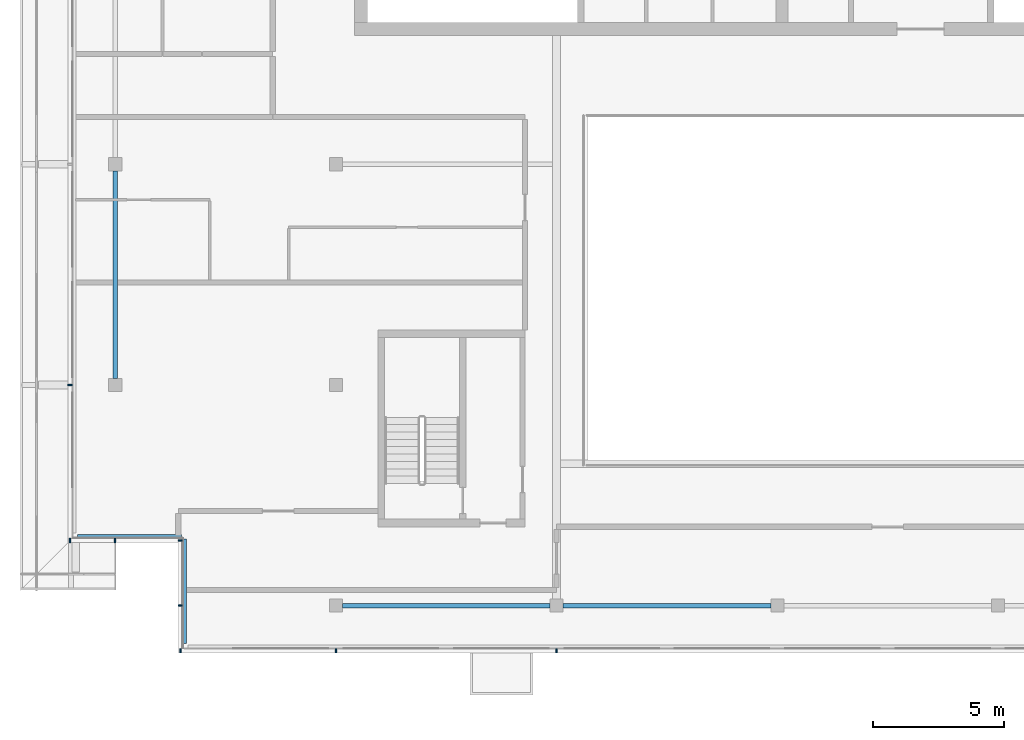
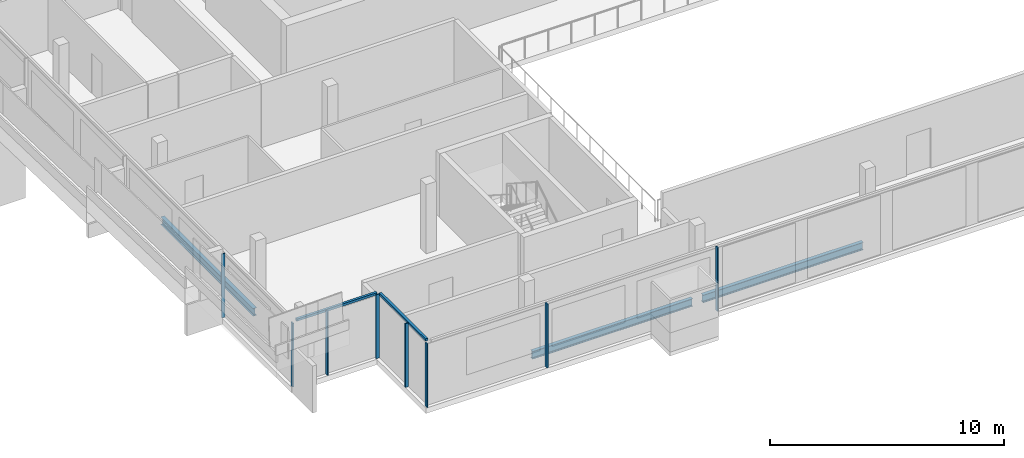
# One storey, part 2 of 19: 10 members, 3 beams, 4 elements without a shape of their own.
"""IFC4 building model written with IfcOpenShell, lengths in metres."""

from ifc_helpers import new_model, si_unit, direction, frame, origin, origin_2d, place, context, subcontext, project, spatial, rectangle, i_section, extrude, material, material_profile, profile_set, type_object, element, aggregate, save


model = new_model("IFC4")

# Units and contexts
model_context = context("Model", 3, precision=1e-05, world=origin(), true_north=direction((0.0, 1.0)))
body_context = subcontext(model_context, "Body", "Model", "MODEL_VIEW")
ifc_project = project(units=[si_unit("LENGTHUNIT", "METRE"), si_unit("AREAUNIT", "SQUARE_METRE"), si_unit("VOLUMEUNIT", "CUBIC_METRE"), si_unit("PLANEANGLEUNIT", "RADIAN"), si_unit("MASSUNIT", "GRAM", prefix="KILO")], contexts=[model_context])

# Site, building, storey
site_placement = place(None, origin())
site = spatial("IfcSite", under=ifc_project, at=site_placement, CompositionType="ELEMENT")
building_placement = place(site_placement, origin())
building = spatial("IfcBuilding", under=site, at=building_placement, Name="Saffron Gate Tower", CompositionType="ELEMENT")
storey_placement = place(building_placement, frame((0.0, 0.0, 292.35009765625)))
storey = spatial("IfcBuildingStorey", under=building, at=storey_placement, Name="L71", CompositionType="ELEMENT", Elevation=292.35009765625)

# Beams
ifc_material_1 = material(Name="Structural steel S355", Category="steel")
ifc_material_profile_1 = material_profile(ifc_material_1, i_section(OverallWidth=0.179931640625, OverallDepth=0.39990234375, WebThickness=0.008544921875, FlangeThickness=0.013427734375, FilletRadius=0.02099609375, at=origin_2d()))
ifc_profile_set_1 = profile_set([ifc_material_profile_1], Name="Structural steel S355")
beam_type = type_object("IfcBeamType", Name="B5 IPE 400", PredefinedType="SPANDREL", material=ifc_profile_set_1)
for number, where, z_axis, x_axis, name in (
    (1, (58.199951171875, 48.85009765625, -0.47998046875), (0.0, 1.0, 0.0), (-1.0, 0.0, 0.0), "B5 SPANDREL BEAM"),
    (2, (66.85009765625, 40.199951171875, -0.47998046875), (1.0, 0.0, 0.0), (0.0, 1.0, 0.0), "B5 SPANDREL BEAM"),
    (3, (75.25, 40.199951171875, -0.47998046875), (1.0, 0.0, 0.0), (0.0, 1.0, 0.0), "B5 SPANDREL BEAM"),
):
    element("IfcBeam", number, at=place(storey_placement, frame(where, z_axis=z_axis, x_axis=x_axis)), inside=storey, type_object=beam_type, Name=name, PredefinedType="SPANDREL", context=body_context, shape_type="SweptSolid", body=[
        extrude(i_section(OverallWidth=0.179931640625, OverallDepth=0.39990234375, WebThickness=0.008544921875, FlangeThickness=0.013427734375, FilletRadius=0.02099609375, at=origin_2d()), origin(), (0.0, 0.0, 1.0), 7.89990234375),
    ])

# Curtain wall, members
ifc_material_2 = material(Name="Aluminium, bronze anodised", Category="aluminium")
curtain_wall_type_1 = type_object("IfcCurtainWallType", Name="CWS1 curtain wall front facade", PredefinedType="NOTDEFINED", material=ifc_material_2)
curtain_wall_1_placement = place(storey_placement, origin())
curtain_wall_1 = element("IfcCurtainWall", 4, at=curtain_wall_1_placement, inside=storey, type_object=curtain_wall_type_1, Name="CWS1 run 1", PredefinedType="NOTDEFINED")
ifc_material_profile_2 = material_profile(ifc_material_2, rectangle(XDim=0.159912109375, YDim=0.06005859375, at=origin_2d()))
ifc_profile_set_2 = profile_set([ifc_material_profile_2], Name="Aluminium, bronze anodised")
member_type_1 = type_object("IfcMemberType", Name="CWS1 mullion 60x160", PredefinedType="MULLION", material=ifc_profile_set_2)
member_1_placement = place(storey_placement, frame((60.679931640625, 38.47998046875, 0.0), z_axis=(0.0, 0.0, 1.0), x_axis=(0.0, 1.0, 0.0)))
member_1 = element("IfcMember", 5, at=member_1_placement, type_object=member_type_1, Name="CWS1 mullion 1", PredefinedType="MULLION", context=body_context, shape_type="SweptSolid", body=[
    extrude(rectangle(XDim=0.159912109375, YDim=0.06005859375, at=origin_2d()), origin(), (0.0, 0.0, 1.0), 3.31982421875),
])
member_2_placement = place(storey_placement, frame((66.60009765625, 38.47998046875, 0.0), z_axis=(0.0, 0.0, 1.0), x_axis=(0.0, 1.0, 0.0)))
member_2 = element("IfcMember", 6, at=member_2_placement, type_object=member_type_1, Name="CWS1 mullion 2", PredefinedType="MULLION", context=body_context, shape_type="SweptSolid", body=[
    extrude(rectangle(XDim=0.159912109375, YDim=0.06005859375, at=origin_2d()), origin(), (0.0, 0.0, 1.0), 3.31982421875),
])
member_3_placement = place(storey_placement, frame((75.0, 38.47998046875, 0.0), z_axis=(0.0, 0.0, 1.0), x_axis=(0.0, 1.0, 0.0)))
member_3 = element("IfcMember", 7, at=member_3_placement, type_object=member_type_1, Name="CWS1 mullion 3", PredefinedType="MULLION", context=body_context, shape_type="SweptSolid", body=[
    extrude(rectangle(XDim=0.159912109375, YDim=0.06005859375, at=origin_2d()), origin(), (0.0, 0.0, 1.0), 3.31982421875),
])
aggregate(curtain_wall_1, [member_1, member_2, member_3])

# Curtain wall, member
curtain_wall_type_2 = type_object("IfcCurtainWallType", Name="CWS2 curtain wall side facades", PredefinedType="NOTDEFINED", material=ifc_material_2)
curtain_wall_2_placement = place(storey_placement, origin())
curtain_wall_2 = element("IfcCurtainWall", 8, at=curtain_wall_2_placement, inside=storey, type_object=curtain_wall_type_2, Name="CWS2 run 10", PredefinedType="NOTDEFINED")
ifc_material_profile_3 = material_profile(ifc_material_2, rectangle(XDim=0.159912109375, YDim=0.06005859375, at=origin_2d()))
ifc_profile_set_3 = profile_set([ifc_material_profile_3], Name="Aluminium, bronze anodised")
member_type_2 = type_object("IfcMemberType", Name="CWS2 mullion 60x160", PredefinedType="MULLION", material=ifc_profile_set_3)
member_4_placement = place(storey_placement, frame((56.47998046875, 48.60009765625, 0.0), z_axis=(0.0, 0.0, 1.0), x_axis=(1.0, 0.0, 0.0)))
member_4 = element("IfcMember", 9, at=member_4_placement, type_object=member_type_2, Name="CWS2 mullion 4", PredefinedType="MULLION", context=body_context, shape_type="SweptSolid", body=[
    extrude(rectangle(XDim=0.159912109375, YDim=0.06005859375, at=origin_2d()), origin(), (0.0, 0.0, 1.0), 3.31982421875),
])
aggregate(curtain_wall_2, [member_4])

curtain_wall_type_3 = type_object("IfcCurtainWallType", Name="CWS4 curtain wall corner returns", PredefinedType="NOTDEFINED", material=ifc_material_2)
curtain_wall_3_placement = place(storey_placement, origin())
curtain_wall_3 = element("IfcCurtainWall", 10, at=curtain_wall_3_placement, inside=storey, type_object=curtain_wall_type_3, Name="CWS4 run 11", PredefinedType="NOTDEFINED")
ifc_material_profile_4 = material_profile(ifc_material_2, rectangle(XDim=0.1201171875, YDim=0.1201171875, at=origin_2d()))
ifc_profile_set_4 = profile_set([ifc_material_profile_4], Name="Aluminium, bronze anodised")
member_type_3 = type_object("IfcMemberType", Name="CWS4 head transom", PredefinedType="USERDEFINED", material=ifc_profile_set_4)
member_5_placement = place(storey_placement, frame((56.76806640625, 42.847900390625, 3.260009765625), z_axis=(1.0, 0.0, 0.0), x_axis=(0.0, 1.0, 0.0)))
member_5 = element("IfcMember", 11, at=member_5_placement, type_object=member_type_3, Name="CWS4 head transom", ObjectType="TRANSOM", PredefinedType="USERDEFINED", context=body_context, shape_type="SweptSolid", body=[
    extrude(rectangle(XDim=0.1201171875, YDim=0.1201171875, at=origin_2d()), origin(), (0.0, 0.0, 1.0), 3.9599609375),
])

curtain_wall_4_placement = place(storey_placement, origin())
curtain_wall_4 = element("IfcCurtainWall", 12, at=curtain_wall_4_placement, inside=storey, type_object=curtain_wall_type_3, Name="CWS4 run 12", PredefinedType="NOTDEFINED")
member_6_placement = place(storey_placement, frame((60.847900390625, 42.72802734375, 3.260009765625), z_axis=(0.0, -1.0, 0.0), x_axis=(1.0, 0.0, 0.0)))
member_6 = element("IfcMember", 13, at=member_6_placement, type_object=member_type_3, Name="CWS4 head transom", ObjectType="TRANSOM", PredefinedType="USERDEFINED", context=body_context, shape_type="SweptSolid", body=[
    extrude(rectangle(XDim=0.1201171875, YDim=0.1201171875, at=origin_2d()), origin(), (0.0, 0.0, 1.0), 3.9599609375),
])

# Member
ifc_material_profile_5 = material_profile(ifc_material_2, rectangle(XDim=0.159912109375, YDim=0.06005859375, at=origin_2d()))
ifc_profile_set_5 = profile_set([ifc_material_profile_5], Name="Aluminium, bronze anodised")
member_type_4 = type_object("IfcMemberType", Name="CWS4 mullion 60x160", PredefinedType="MULLION", material=ifc_profile_set_5)
member_7_placement = place(storey_placement, frame((56.47998046875, 42.679931640625, 0.0), z_axis=(0.0, 0.0, 1.0), x_axis=(0.0, 1.0, 0.0)))
member_7 = element("IfcMember", 14, at=member_7_placement, type_object=member_type_4, Name="CWS4 mullion 1", PredefinedType="MULLION", context=body_context, shape_type="SweptSolid", body=[
    extrude(rectangle(XDim=0.159912109375, YDim=0.06005859375, at=origin_2d()), origin(), (0.0, 0.0, 1.0), 3.31982421875),
])

member_8_placement = place(storey_placement, frame((58.199951171875, 42.679931640625, 0.0), z_axis=(0.0, 0.0, 1.0), x_axis=(0.0, 1.0, 0.0)))
member_8 = element("IfcMember", 15, at=member_8_placement, type_object=member_type_4, Name="CWS4 mullion 2", PredefinedType="MULLION", context=body_context, shape_type="SweptSolid", body=[
    extrude(rectangle(XDim=0.159912109375, YDim=0.06005859375, at=origin_2d()), origin(), (0.0, 0.0, 1.0), 3.31982421875),
])

aggregate(curtain_wall_3, [member_7, member_8, member_5])

member_9_placement = place(storey_placement, frame((60.679931640625, 42.679931640625, 0.0), z_axis=(0.0, 0.0, 1.0), x_axis=(1.0, 0.0, 0.0)))
member_9 = element("IfcMember", 16, at=member_9_placement, type_object=member_type_4, Name="CWS4 mullion 1", PredefinedType="MULLION", context=body_context, shape_type="SweptSolid", body=[
    extrude(rectangle(XDim=0.159912109375, YDim=0.06005859375, at=origin_2d()), origin(), (0.0, 0.0, 1.0), 3.31982421875),
])

member_10_placement = place(storey_placement, frame((60.679931640625, 40.199951171875, 0.0), z_axis=(0.0, 0.0, 1.0), x_axis=(1.0, 0.0, 0.0)))
member_10 = element("IfcMember", 17, at=member_10_placement, type_object=member_type_4, Name="CWS4 mullion 2", PredefinedType="MULLION", context=body_context, shape_type="SweptSolid", body=[
    extrude(rectangle(XDim=0.159912109375, YDim=0.06005859375, at=origin_2d()), origin(), (0.0, 0.0, 1.0), 3.31982421875),
])

aggregate(curtain_wall_4, [member_9, member_10, member_6])

save(model, "model.ifc")
